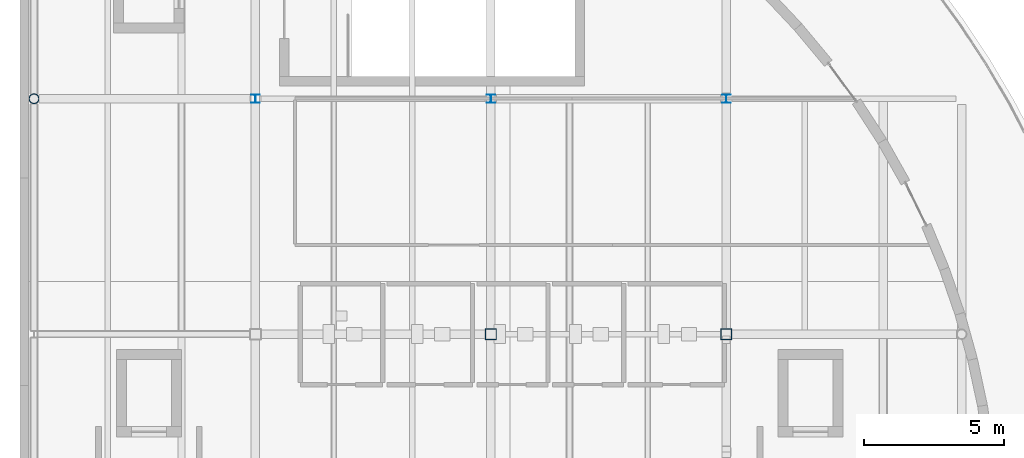
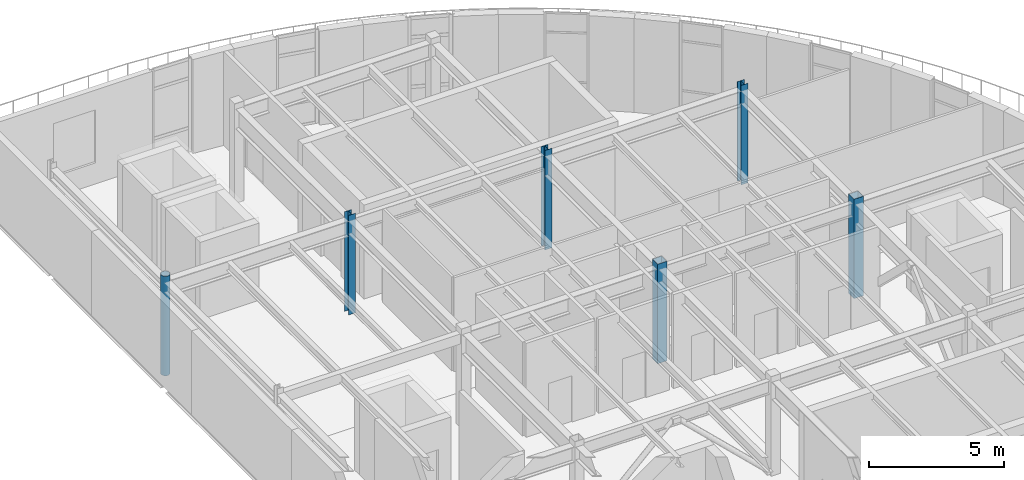
# One storey, part 2 of 26: 6 columns.
"""IFC4 building model written with IfcOpenShell, lengths in metres."""

from ifc_helpers import new_model, si_unit, direction, frame, origin, origin_2d, place, context, subcontext, project, spatial, hollow_rectangle, hollow_circle, i_section, extrude, material, material_profile, profile_set, type_object, element, save


model = new_model("IFC4")

# Units and contexts
model_context = context("Model", 3, precision=1e-05, world=origin(), true_north=direction((0.0, 1.0)))
body_context = subcontext(model_context, "Body", "Model", "MODEL_VIEW")
ifc_project = project(units=[si_unit("LENGTHUNIT", "METRE"), si_unit("AREAUNIT", "SQUARE_METRE"), si_unit("VOLUMEUNIT", "CUBIC_METRE"), si_unit("PLANEANGLEUNIT", "RADIAN"), si_unit("MASSUNIT", "GRAM", prefix="KILO"), si_unit("THERMODYNAMICTEMPERATUREUNIT", "KELVIN")], contexts=[model_context])

# Site, building, storey
site_placement = place(None, origin())
site = spatial("IfcSite", under=ifc_project, at=site_placement, CompositionType="ELEMENT")
building_placement = place(site_placement, origin())
building = spatial("IfcBuilding", under=site, at=building_placement, Name="Lustrewick Department Store", CompositionType="ELEMENT")
storey_placement = place(building_placement, frame((0.0, 0.0, 36.300048828125)))
storey = spatial("IfcBuildingStorey", under=building, at=storey_placement, Name="L08", CompositionType="ELEMENT", Elevation=36.300048828125)

# Columns
ifc_material = material(Name="Structural steel Q355B", Category="steel")
ifc_material_profile_1 = material_profile(ifc_material, hollow_rectangle(XDim=0.39990234375, YDim=0.39990234375, WallThickness=0.01611328125, at=origin_2d()), Name="BOX 400x400x16")
ifc_profile_set_1 = profile_set([ifc_material_profile_1], Name="Structural steel Q355B")
column_type_1 = type_object("IfcColumnType", Name="C08", PredefinedType="COLUMN", material=ifc_profile_set_1)
for number, where, z_axis, x_axis, name in (
    (1, (126.0, 67.199951171875, 0.0), (0.0, 0.0, 1.0), (1.0, 0.0, 0.0), "L08 V4 Column C08"),
    (2, (134.39990234375, 67.199951171875, 0.0), (0.0, 0.0, 1.0), (1.0, 0.0, 0.0), "L08 V4 Column C08"),
):
    element("IfcColumn", number, at=place(storey_placement, frame(where, z_axis=z_axis, x_axis=x_axis)), inside=storey, type_object=column_type_1, Name=name, PredefinedType="COLUMN", context=body_context, shape_type="SweptSolid", body=[
        extrude(hollow_rectangle(XDim=0.39990234375, YDim=0.39990234375, WallThickness=0.01611328125, at=origin_2d()), origin(), (0.0, 0.0, 1.0), 4.5),
    ])
ifc_material_profile_2 = material_profile(ifc_material, i_section(OverallWidth=0.302001953125, OverallDepth=0.2939453125, WebThickness=0.011962890625, FlangeThickness=0.011962890625, FilletRadius=0.01806640625, at=origin_2d()), Name="HW 294x302x12x12")
ifc_profile_set_2 = profile_set([ifc_material_profile_2], Name="Structural steel Q355B")
column_type_2 = type_object("IfcColumnType", Name="C16", PredefinedType="COLUMN", material=ifc_profile_set_2)
for number, where, z_axis, x_axis, name in (
    (3, (117.60009765625, 75.60009765625, 0.0), (0.0, 0.0, 1.0), (1.0, 0.0, 0.0), "L08 V4 Column C16"),
    (4, (126.0, 75.60009765625, 0.0), (0.0, 0.0, 1.0), (1.0, 0.0, 0.0), "L08 V4 Column C16"),
    (5, (134.39990234375, 75.60009765625, 0.0), (0.0, 0.0, 1.0), (1.0, 0.0, 0.0), "L08 V4 Column C16"),
):
    element("IfcColumn", number, at=place(storey_placement, frame(where, z_axis=z_axis, x_axis=x_axis)), inside=storey, type_object=column_type_2, Name=name, PredefinedType="COLUMN", context=body_context, shape_type="SweptSolid", body=[
        extrude(i_section(OverallWidth=0.302001953125, OverallDepth=0.2939453125, WebThickness=0.011962890625, FlangeThickness=0.011962890625, FilletRadius=0.01806640625, at=origin_2d()), origin(), (0.0, 0.0, 1.0), 4.5),
    ])
ifc_material_profile_3 = material_profile(ifc_material, hollow_circle(Radius=0.177978515625, WallThickness=0.013916015625, at=origin_2d()), Name="CHS 356x14")
ifc_profile_set_3 = profile_set([ifc_material_profile_3], Name="Structural steel Q355B")
column_type_3 = type_object("IfcColumnType", Name="CE05", PredefinedType="COLUMN", material=ifc_profile_set_3)
column_placement = place(storey_placement, frame((109.699951171875, 75.60009765625, 0.0), z_axis=(0.0, 0.0, 1.0), x_axis=(1.0, 0.0, 0.0)))
element("IfcColumn", 6, at=column_placement, inside=storey, type_object=column_type_3, Name="L08 V4 Column CE05", PredefinedType="COLUMN", context=body_context, shape_type="SweptSolid", body=[
    extrude(hollow_circle(Radius=0.177978515625, WallThickness=0.013916015625, at=origin_2d()), origin(), (0.0, 0.0, 1.0), 4.5),
])

save(model, "model.ifc")
